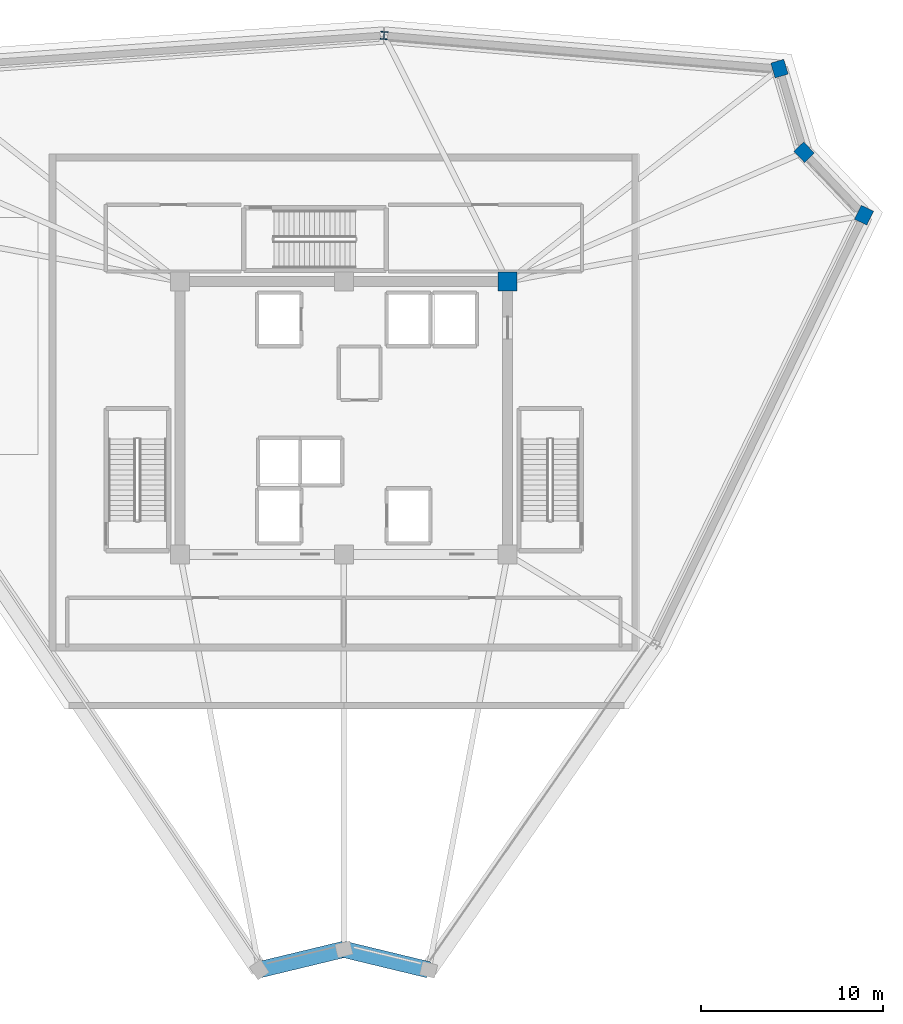
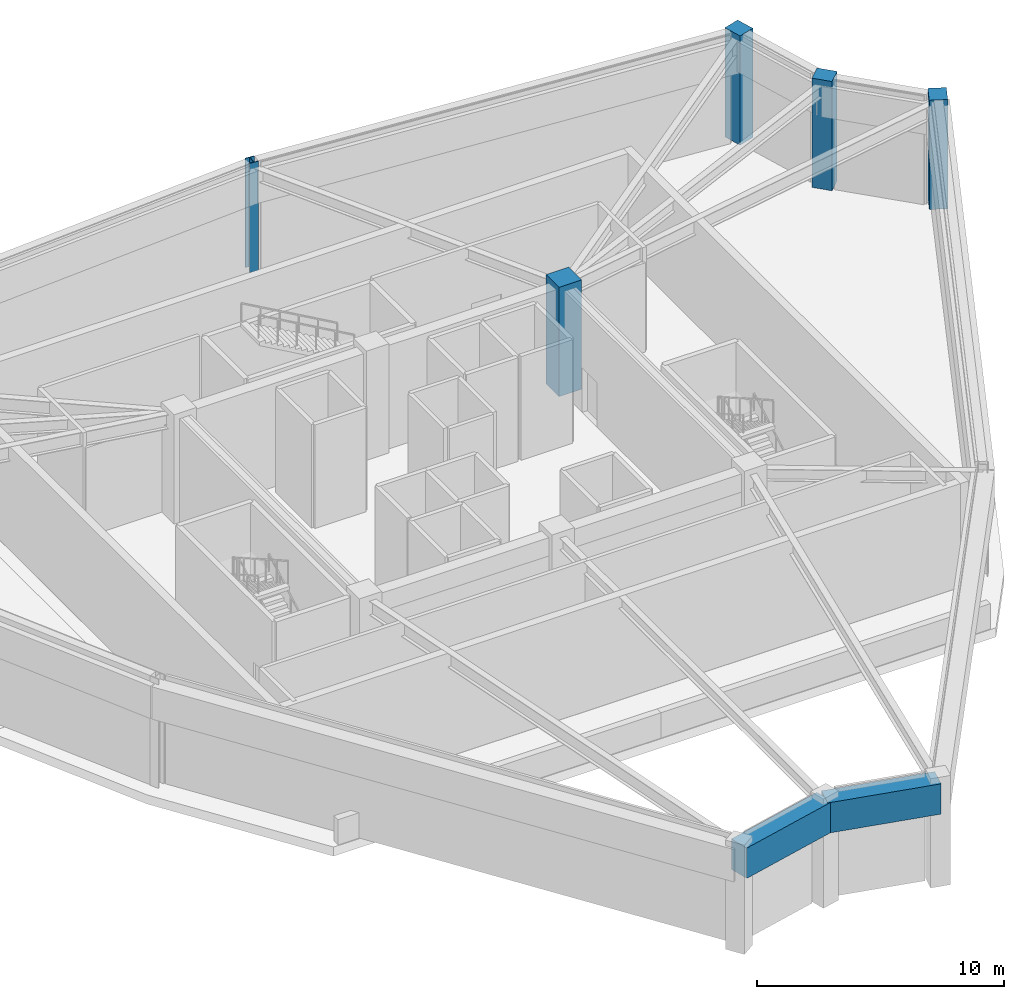
# One storey, part 2 of 8: 5 columns, 2 beams.
"""IFC4 building model written with IfcOpenShell, lengths in metres."""

from ifc_helpers import new_model, si_unit, direction, frame, origin, origin_2d, place, context, subcontext, project, spatial, rectangle, i_section, extrude, source, transform, mapped, material, material_profile, profile_set, type_object, element, save


model = new_model("IFC4")

# Units and contexts
model_context = context("Model", 3, precision=1e-05, world=origin(), true_north=direction((0.0, 1.0)))
body_context = subcontext(model_context, "Body", "Model", "MODEL_VIEW")
ifc_project = project(units=[si_unit("LENGTHUNIT", "METRE"), si_unit("AREAUNIT", "SQUARE_METRE"), si_unit("VOLUMEUNIT", "CUBIC_METRE"), si_unit("PLANEANGLEUNIT", "RADIAN"), si_unit("MASSUNIT", "GRAM", prefix="KILO")], contexts=[model_context])

# Site, building, storey
site_placement = place(None, origin())
site = spatial("IfcSite", under=ifc_project, at=site_placement, CompositionType="ELEMENT")
building_placement = place(site_placement, origin())
building = spatial("IfcBuilding", under=site, at=building_placement, Name="Liaohun Quay Tower", CompositionType="ELEMENT")
storey_placement = place(building_placement, frame((0.0, 0.0, 360.60009765625)))
storey = spatial("IfcBuildingStorey", under=building, at=storey_placement, Name="L93", CompositionType="ELEMENT", Elevation=360.60009765625)

# Columns
ifc_material_1 = material(Name="Concrete C50", Category="concrete")
ifc_material_profile_1 = material_profile(ifc_material_1, rectangle(XDim=1.050048828125, YDim=1.050048828125, at=origin_2d()), Name="RC1050x1050")
ifc_profile_set_1 = profile_set([ifc_material_profile_1], Name="Concrete C50")
column_type_1 = type_object("IfcColumnType", Name="COL-CC-CR", PredefinedType="COLUMN", material=ifc_profile_set_1)
shared_shape_1 = source(origin(), body_context, "Body", "SweptSolid", [
    extrude(rectangle(XDim=1.050048828125, YDim=1.050048828125, at=origin_2d()), origin(), (0.0, 0.0, 1.0), 5.39990234375),
])
column_1_placement = place(storey_placement, frame((69.0, 61.5, 0.0), z_axis=(0.0, 0.0, 1.0), x_axis=(1.0, 0.0, 0.0)))
element("IfcColumn", 1, at=column_1_placement, inside=storey, type_object=column_type_1, Name="L93 Core Column CC4", PredefinedType="COLUMN", context=body_context, shape_type="MappedRepresentation", body=[
    mapped(shared_shape_1, transform((0.0, 0.0, 0.0), x_axis=(1.0, 0.0, 0.0), y_axis=(0.0, 1.0, 0.0), z_axis=(0.0, 0.0, 1.0), scale=1.0)),
])
ifc_material_profile_2 = material_profile(ifc_material_1, rectangle(XDim=0.85009765625, YDim=0.75, at=origin_2d()), Name="RC850x750")
ifc_profile_set_2 = profile_set([ifc_material_profile_2], Name="Concrete C50")
column_type_2 = type_object("IfcColumnType", Name="COL-PIER-CR", PredefinedType="COLUMN", material=ifc_profile_set_2)
shared_shape_2 = source(origin(), body_context, "Body", "SweptSolid", [
    extrude(rectangle(XDim=0.85009765625, YDim=0.75, at=origin_2d()), origin(), (0.0, 0.0, 1.0), 5.39990234375),
])
for number, where, z_axis, x_axis, name in (
    (2, (83.93408203125, 73.194091796875, 0.0), (0.0, 0.0, 1.0), (-0.282676303383, 0.959215360337, 0.0), "L93 Perimeter Pier PC07"),
    (3, (85.2880859375, 68.60009765625, 0.0), (0.0, 0.0, 1.0), (-0.68936671806, 0.724412539946, 0.0), "L93 Perimeter Pier PC08"),
    (4, (88.5830078125, 65.136962890625, 0.0), (0.0, 0.0, 1.0), (0.438371146789, 0.898794046299, 0.0), "L93 Perimeter Pier PC09"),
):
    element("IfcColumn", number, at=place(storey_placement, frame(where, z_axis=z_axis, x_axis=x_axis)), inside=storey, type_object=column_type_2, Name=name, PredefinedType="COLUMN", context=body_context, shape_type="MappedRepresentation", body=[
        mapped(shared_shape_2, transform((0.0, 0.0, 0.0), x_axis=(1.0, 0.0, 0.0), y_axis=(0.0, 1.0, 0.0), z_axis=(0.0, 0.0, 1.0), scale=1.0)),
    ])
ifc_material_2 = material(Name="Steel Q420D", Category="steel")
ifc_material_profile_3 = material_profile(ifc_material_2, i_section(OverallWidth=0.406982421875, OverallDepth=0.427978515625, WebThickness=0.02001953125, FlangeThickness=0.034912109375, at=origin_2d()), Name="HW428x407x20x35")
ifc_profile_set_3 = profile_set([ifc_material_profile_3], Name="Steel Q420D")
column_type_3 = type_object("IfcColumnType", Name="COL-STL-CR1", PredefinedType="COLUMN", material=ifc_profile_set_3)
shared_shape_3 = source(origin(), body_context, "Body", "SweptSolid", [
    extrude(i_section(OverallWidth=0.406982421875, OverallDepth=0.427978515625, WebThickness=0.02001953125, FlangeThickness=0.034912109375, at=origin_2d()), origin(), (0.0, 0.0, 1.0), 5.39990234375),
])
column_2_placement = place(storey_placement, frame((62.20703125, 75.012939453125, 0.0), z_axis=(0.0, 0.0, 1.0), x_axis=(-0.996507448611, 0.083503921245, 0.0)))
element("IfcColumn", 5, at=column_2_placement, inside=storey, type_object=column_type_3, Name="L93 Perimeter Pier PC06", PredefinedType="COLUMN", context=body_context, shape_type="MappedRepresentation", body=[
    mapped(shared_shape_3, transform((0.0, 0.0, 0.0), x_axis=(1.0, 0.0, 0.0), y_axis=(0.0, 1.0, 0.0), z_axis=(0.0, 0.0, 1.0), scale=1.0)),
])

# Beams
ifc_material_3 = material(Name="Concrete C55", Category="concrete")
ifc_material_profile_4 = material_profile(ifc_material_3, rectangle(XDim=0.89990234375, YDim=1.5, at=origin_2d()), Name="RC900x1500")
ifc_profile_set_4 = profile_set([ifc_material_profile_4], Name="Concrete C55")
beam_type = type_object("IfcBeamType", Name="BM-CAN-RING", PredefinedType="BEAM", material=ifc_profile_set_4)
shared_shape_4 = source(origin(), body_context, "Body", "SweptSolid", [
    extrude(rectangle(XDim=0.89990234375, YDim=1.5, at=origin_2d()), origin(), (0.0, 0.0, 1.0), 4.78857421875),
])
beam_1_placement = place(storey_placement, frame((64.655029296875, 23.676025390625, 4.369873046875), z_axis=(-0.972109870601, 0.234525903643, 0.0), x_axis=(-0.234525903643, -0.972109870601, 0.0)))
element("IfcBeam", 6, at=beam_1_placement, inside=storey, type_object=beam_type, Name="L93 Precast Spandrel Beam PC11-PC12", PredefinedType="BEAM", context=body_context, shape_type="MappedRepresentation", body=[
    mapped(shared_shape_4, transform((0.0, 0.0, 0.0), x_axis=(1.0, 0.0, 0.0), y_axis=(0.0, 1.0, 0.0), z_axis=(0.0, 0.0, 1.0), scale=1.0)),
])
shared_shape_5 = source(origin(), body_context, "Body", "SweptSolid", [
    extrude(rectangle(XDim=0.89990234375, YDim=1.5, at=origin_2d()), origin(), (0.0, 0.0, 1.0), 4.779296875),
])
beam_2_placement = place(storey_placement, frame((60.0, 24.799072265625, 4.369873046875), z_axis=(-0.972099080488, -0.234570624151, 0.0), x_axis=(0.234570624151, -0.972099080488, 0.0)))
element("IfcBeam", 7, at=beam_2_placement, inside=storey, type_object=beam_type, Name="L93 Precast Spandrel Beam PC12-PC01", PredefinedType="BEAM", context=body_context, shape_type="MappedRepresentation", body=[
    mapped(shared_shape_5, transform((0.0, 0.0, 0.0), x_axis=(1.0, 0.0, 0.0), y_axis=(0.0, 1.0, 0.0), z_axis=(0.0, 0.0, 1.0), scale=1.0)),
])

save(model, "model.ifc")
